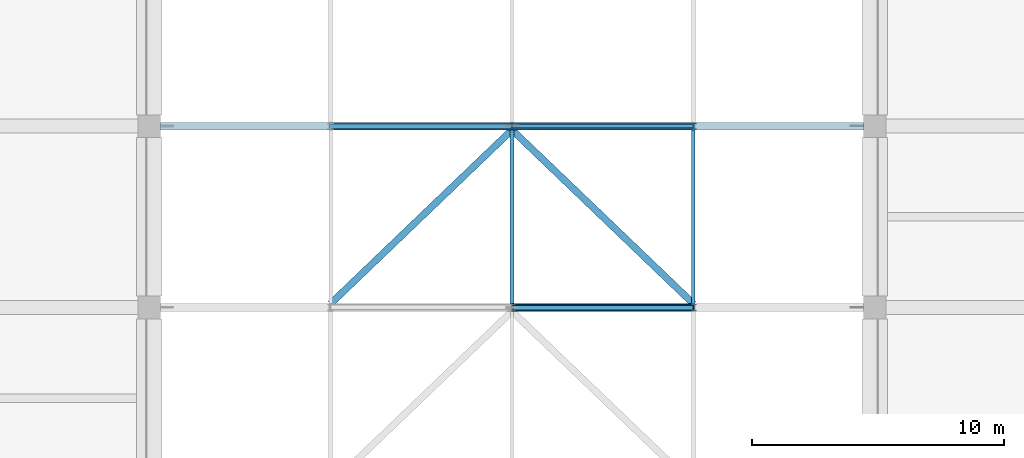
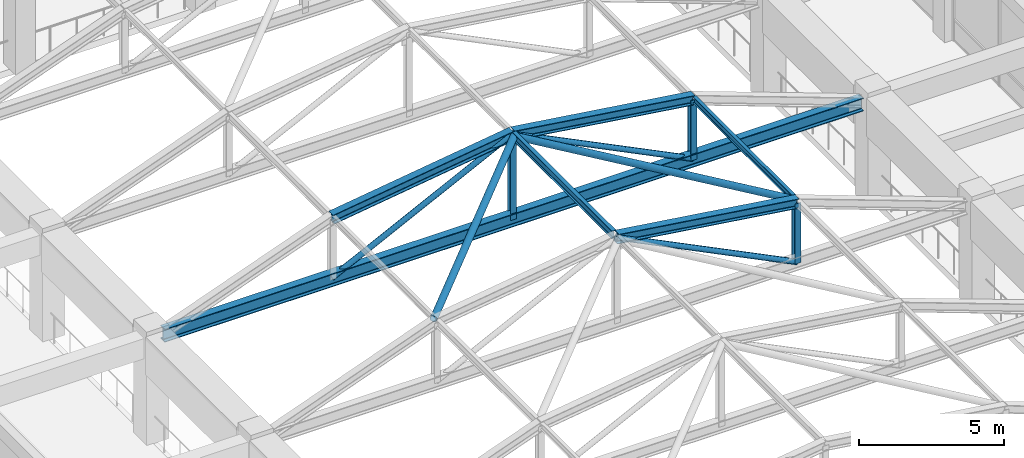
# One storey, part 19 of 75: 13 members, 1 beam.
"""IFC4 building model written with IfcOpenShell, lengths in metres."""

from ifc_helpers import new_model, si_unit, direction, frame, origin, origin_2d, place, context, subcontext, project, spatial, hollow_circle, i_section, extrude, material, material_profile, profile_set, type_object, element, save


model = new_model("IFC4")

# Units and contexts
model_context = context("Model", 3, precision=1e-05, world=origin(), true_north=direction((0.0, 1.0)))
body_context = subcontext(model_context, "Body", "Model", "MODEL_VIEW")
ifc_project = project(units=[si_unit("LENGTHUNIT", "METRE"), si_unit("AREAUNIT", "SQUARE_METRE"), si_unit("VOLUMEUNIT", "CUBIC_METRE"), si_unit("PLANEANGLEUNIT", "RADIAN"), si_unit("MASSUNIT", "GRAM", prefix="KILO")], contexts=[model_context])

# Site, building, storey
site_placement = place(None, origin())
site = spatial("IfcSite", under=ifc_project, at=site_placement, CompositionType="ELEMENT")
building_placement = place(site_placement, origin())
building = spatial("IfcBuilding", under=site, at=building_placement, Name="Cendaluz Park School", CompositionType="ELEMENT")
storey_placement = place(building_placement, frame((0.0, 0.0, 4.800048828125)))
storey = spatial("IfcBuildingStorey", under=building, at=storey_placement, Name="L01", CompositionType="ELEMENT", Elevation=4.800048828125)

# Beam
ifc_material = material(Name="Steel S355", Category="steel")
ifc_material_profile_1 = material_profile(ifc_material, i_section(OverallWidth=0.300048828125, OverallDepth=0.550048828125, WebThickness=0.014892578125, FlangeThickness=0.029052734375, FilletRadius=0.027099609375, at=origin_2d()), Name="HEB 550", Category="steel")
ifc_profile_set_1 = profile_set([ifc_material_profile_1], Name="Steel S355")
beam_type = type_object("IfcBeamType", Name="BM-ST11", PredefinedType="BEAM", material=ifc_profile_set_1)
beam_placement = place(storey_placement, frame((7.64990234375, 79.199951171875, 4.14990234375), z_axis=(1.0, 0.0, 0.0), x_axis=(0.0, 1.0, 0.0)))
element("IfcBeam", 1, at=beam_placement, inside=storey, type_object=beam_type, Name="BM-L01-BMST11-0527", PredefinedType="BEAM", context=body_context, shape_type="SweptSolid", body=[
    extrude(i_section(OverallWidth=0.300048828125, OverallDepth=0.550048828125, WebThickness=0.014892578125, FlangeThickness=0.029052734375, FilletRadius=0.027099609375, at=origin_2d()), origin(), (0.0, 0.0, 1.0), 27.900146484375),
])

# Members
ifc_material_profile_2 = material_profile(ifc_material, i_section(OverallWidth=0.300048828125, OverallDepth=0.39990234375, WebThickness=0.013916015625, FlangeThickness=0.02392578125, FilletRadius=0.027099609375, at=origin_2d()), Name="HEB 400", Category="steel")
ifc_profile_set_2 = profile_set([ifc_material_profile_2], Name="Steel S355")
member_type_1 = type_object("IfcMemberType", Name="MB-CH01", PredefinedType="CHORD", material=ifc_profile_set_2)
member_1_placement = place(storey_placement, frame((21.60009765625, 72.0, 7.7099609375), z_axis=(0.990113333567, 0.0, -0.140269692708), x_axis=(0.0, 1.0, 0.0)))
element("IfcMember", 2, at=member_1_placement, inside=storey, type_object=member_type_1, Name="MB-L01-MBCH01-0019", PredefinedType="CHORD", context=body_context, shape_type="SweptSolid", body=[
    extrude(i_section(OverallWidth=0.300048828125, OverallDepth=0.39990234375, WebThickness=0.013916015625, FlangeThickness=0.02392578125, FilletRadius=0.027099609375, at=origin_2d()), origin(), (0.0, 0.0, 1.0), 7.271728515625),
])
member_2_placement = place(storey_placement, frame((14.39990234375, 79.199951171875, 6.68994140625), z_axis=(0.990113994111, 0.0, 0.140265030089), x_axis=(0.0, 1.0, 0.0)))
element("IfcMember", 3, at=member_2_placement, inside=storey, type_object=member_type_1, Name="MB-L01-MBCH01-0027", PredefinedType="CHORD", context=body_context, shape_type="SweptSolid", body=[
    extrude(i_section(OverallWidth=0.300048828125, OverallDepth=0.39990234375, WebThickness=0.013916015625, FlangeThickness=0.02392578125, FilletRadius=0.027099609375, at=origin_2d()), origin(), (0.0, 0.0, 1.0), 7.27197265625),
])
member_3_placement = place(storey_placement, frame((21.60009765625, 79.199951171875, 7.7099609375), z_axis=(0.990113333567, 0.0, -0.140269692708), x_axis=(0.0, 1.0, 0.0)))
element("IfcMember", 4, at=member_3_placement, inside=storey, type_object=member_type_1, Name="MB-L01-MBCH01-0028", PredefinedType="CHORD", context=body_context, shape_type="SweptSolid", body=[
    extrude(i_section(OverallWidth=0.300048828125, OverallDepth=0.39990234375, WebThickness=0.013916015625, FlangeThickness=0.02392578125, FilletRadius=0.027099609375, at=origin_2d()), origin(), (0.0, 0.0, 1.0), 7.271728515625),
])
ifc_material_profile_3 = material_profile(ifc_material, i_section(OverallWidth=0.135009765625, OverallDepth=0.27001953125, WebThickness=0.007080078125, FlangeThickness=0.010009765625, FilletRadius=0.014892578125, at=origin_2d()), Name="IPE 270", Category="steel")
ifc_profile_set_3 = profile_set([ifc_material_profile_3], Name="Steel S355")
member_type_2 = type_object("IfcMemberType", Name="MB-PR01", PredefinedType="PURLIN", material=ifc_profile_set_3)
member_4_placement = place(storey_placement, frame((28.800048828125, 72.14990234375, 6.73486328125), z_axis=(0.0, 1.0, 0.0), x_axis=(-1.0, 0.0, 0.0)))
element("IfcMember", 5, at=member_4_placement, inside=storey, type_object=member_type_2, Name="MB-L01-MBPR01-0072", PredefinedType="PURLIN", context=body_context, shape_type="SweptSolid", body=[
    extrude(i_section(OverallWidth=0.135009765625, OverallDepth=0.27001953125, WebThickness=0.007080078125, FlangeThickness=0.010009765625, FilletRadius=0.014892578125, at=origin_2d()), origin(), (0.0, 0.0, 1.0), 6.900146484375),
])
ifc_material_profile_4 = material_profile(ifc_material, i_section(OverallWidth=0.159912109375, OverallDepth=0.330078125, WebThickness=0.008056640625, FlangeThickness=0.011962890625, FilletRadius=0.01806640625, at=origin_2d()), Name="IPE 330", Category="steel")
ifc_profile_set_4 = profile_set([ifc_material_profile_4], Name="Steel S355")
member_type_3 = type_object("IfcMemberType", Name="MB-PR02", PredefinedType="PURLIN", material=ifc_profile_set_4)
member_5_placement = place(storey_placement, frame((21.60009765625, 72.14990234375, 7.73486328125), z_axis=(0.0, 1.0, 0.0), x_axis=(-1.0, 0.0, 0.0)))
element("IfcMember", 6, at=member_5_placement, inside=storey, type_object=member_type_3, Name="MB-L01-MBPR02-0071", PredefinedType="PURLIN", context=body_context, shape_type="SweptSolid", body=[
    extrude(i_section(OverallWidth=0.159912109375, OverallDepth=0.330078125, WebThickness=0.008056640625, FlangeThickness=0.011962890625, FilletRadius=0.01806640625, at=origin_2d()), origin(), (0.0, 0.0, 1.0), 6.900146484375),
])
ifc_material_profile_5 = material_profile(ifc_material, hollow_circle(Radius=0.136474609375, WallThickness=0.011962890625, at=origin_2d()), Name="CHS 273x12", Category="steel")
ifc_profile_set_5 = profile_set([ifc_material_profile_5], Name="Steel S355")
member_type_4 = type_object("IfcMemberType", Name="MBR-01", PredefinedType="BRACE", material=ifc_profile_set_5)
for number, where, z_axis, x_axis, name in (
    (7, (14.39990234375, 72.14990234375, 6.68994140625), (0.718243092846, 0.68831223834, 0.101750293026), (-0.691903236387, 0.72199024334, 0.0), "MB-L01-MBBR01-0073"),
    (8, (28.800048828125, 72.14990234375, 6.68994140625), (-0.718231302195, 0.688324278387, 0.101752072855), (-0.691915465865, -0.721978523293, 0.0), "MB-L01-MBBR01-0074"),
):
    element("IfcMember", number, at=place(storey_placement, frame(where, z_axis=z_axis, x_axis=x_axis)), inside=storey, type_object=member_type_4, Name=name, PredefinedType="BRACE", context=body_context, shape_type="SweptSolid", body=[
        extrude(hollow_circle(Radius=0.136474609375, WallThickness=0.011962890625, at=origin_2d()), origin(), (0.0, 0.0, 1.0), 10.024658203125),
    ])
ifc_material_profile_6 = material_profile(ifc_material, hollow_circle(Radius=0.109619140625, WallThickness=0.010009765625, at=origin_2d()), Name="CHS 219x10", Category="steel")
ifc_profile_set_6 = profile_set([ifc_material_profile_6], Name="Steel S355")
member_type_5 = type_object("IfcMemberType", Name="MBR-02", PredefinedType="BRACE", material=ifc_profile_set_6)
member_6_placement = place(storey_placement, frame((28.800048828125, 72.0, 4.14990234375), z_axis=(-0.896406248188, 0.0, 0.443233390224), x_axis=(0.0, -1.0, 0.0)))
element("IfcMember", 9, at=member_6_placement, inside=storey, type_object=member_type_5, Name="MB-L01-MBBR02-0025", PredefinedType="BRACE", context=body_context, shape_type="SweptSolid", body=[
    extrude(hollow_circle(Radius=0.109619140625, WallThickness=0.010009765625, at=origin_2d()), origin(), (0.0, 0.0, 1.0), 8.031982421875),
])
member_7_placement = place(storey_placement, frame((14.39990234375, 79.199951171875, 4.14990234375), z_axis=(0.896412219401, 0.0, 0.443221313689), x_axis=(0.0, 1.0, 0.0)))
element("IfcMember", 10, at=member_7_placement, inside=storey, type_object=member_type_5, Name="MB-L01-MBBR02-0033", PredefinedType="BRACE", context=body_context, shape_type="SweptSolid", body=[
    extrude(hollow_circle(Radius=0.109619140625, WallThickness=0.010009765625, at=origin_2d()), origin(), (0.0, 0.0, 1.0), 8.0322265625),
])
member_8_placement = place(storey_placement, frame((28.800048828125, 79.199951171875, 4.14990234375), z_axis=(-0.896406248188, 0.0, 0.443233390224), x_axis=(0.0, -1.0, 0.0)))
element("IfcMember", 11, at=member_8_placement, inside=storey, type_object=member_type_5, Name="MB-L01-MBBR02-0034", PredefinedType="BRACE", context=body_context, shape_type="SweptSolid", body=[
    extrude(hollow_circle(Radius=0.109619140625, WallThickness=0.010009765625, at=origin_2d()), origin(), (0.0, 0.0, 1.0), 8.031982421875),
])
ifc_material_profile_7 = material_profile(ifc_material, i_section(OverallWidth=0.239990234375, OverallDepth=0.22998046875, WebThickness=0.008056640625, FlangeThickness=0.011962890625, FilletRadius=0.02099609375, at=origin_2d()), Name="HEA 240", Category="steel")
ifc_profile_set_7 = profile_set([ifc_material_profile_7], Name="Steel S355")
member_type_6 = type_object("IfcMemberType", Name="MST-01", PredefinedType="STRUT", material=ifc_profile_set_7)
member_9_placement = place(storey_placement, frame((28.800048828125, 72.0, 4.14990234375), z_axis=(0.0, 0.0, 1.0), x_axis=(1.0, 0.0, 0.0)))
element("IfcMember", 12, at=member_9_placement, inside=storey, type_object=member_type_6, Name="MB-L01-MBST01-0023", PredefinedType="STRUT", context=body_context, shape_type="SweptSolid", body=[
    extrude(i_section(OverallWidth=0.239990234375, OverallDepth=0.22998046875, WebThickness=0.008056640625, FlangeThickness=0.011962890625, FilletRadius=0.02099609375, at=origin_2d()), origin(), (0.0, 0.0, 1.0), 2.5400390625),
])
member_10_placement = place(storey_placement, frame((21.60009765625, 79.199951171875, 4.14990234375), z_axis=(0.0, 0.0, 1.0), x_axis=(1.0, 0.0, 0.0)))
element("IfcMember", 13, at=member_10_placement, inside=storey, type_object=member_type_6, Name="MB-L01-MBST01-0031", PredefinedType="STRUT", context=body_context, shape_type="SweptSolid", body=[
    extrude(i_section(OverallWidth=0.239990234375, OverallDepth=0.22998046875, WebThickness=0.008056640625, FlangeThickness=0.011962890625, FilletRadius=0.02099609375, at=origin_2d()), origin(), (0.0, 0.0, 1.0), 3.56005859375),
])
member_11_placement = place(storey_placement, frame((28.800048828125, 79.199951171875, 4.14990234375), z_axis=(0.0, 0.0, 1.0), x_axis=(1.0, 0.0, 0.0)))
element("IfcMember", 14, at=member_11_placement, inside=storey, type_object=member_type_6, Name="MB-L01-MBST01-0032", PredefinedType="STRUT", context=body_context, shape_type="SweptSolid", body=[
    extrude(i_section(OverallWidth=0.239990234375, OverallDepth=0.22998046875, WebThickness=0.008056640625, FlangeThickness=0.011962890625, FilletRadius=0.02099609375, at=origin_2d()), origin(), (0.0, 0.0, 1.0), 2.5400390625),
])

save(model, "model.ifc")
